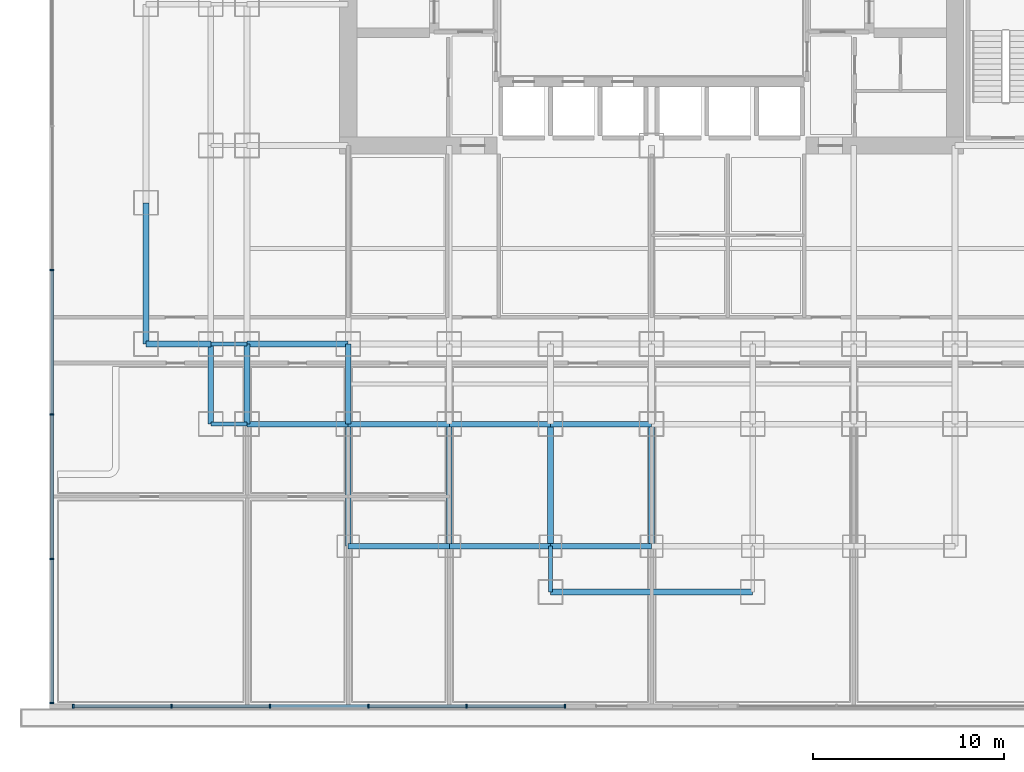
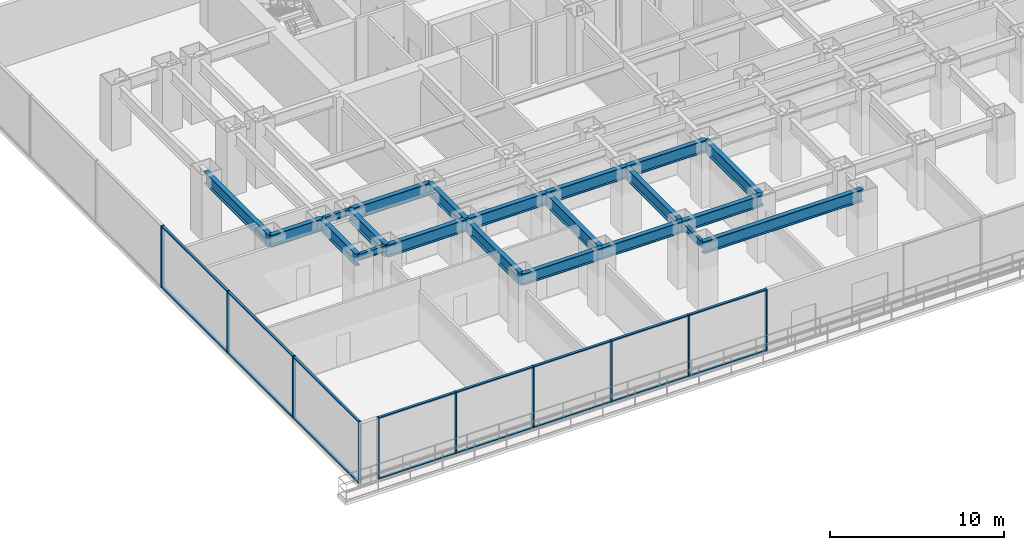
# One storey, part 2 of 13: 26 members, 21 beams, 2 elements without a shape of their own.
"""IFC4 building model written with IfcOpenShell, lengths in metres."""

from ifc_helpers import new_model, si_unit, direction, frame, origin, origin_2d, place, context, subcontext, project, spatial, rectangle, i_section, extrude, source, transform, mapped, material, layer, layer_set, material_profile, profile_set, type_object, element, aggregate, save


model = new_model("IFC4")

# Units and contexts
model_context = context("Model", 3, precision=1e-05, world=origin(), true_north=direction((0.0, 1.0)))
body_context = subcontext(model_context, "Body", "Model", "MODEL_VIEW")
ifc_project = project(units=[si_unit("LENGTHUNIT", "METRE"), si_unit("AREAUNIT", "SQUARE_METRE"), si_unit("VOLUMEUNIT", "CUBIC_METRE"), si_unit("PLANEANGLEUNIT", "RADIAN"), si_unit("MASSUNIT", "GRAM", prefix="KILO")], contexts=[model_context])

# Site, building, storey
site_placement = place(None, origin())
site = spatial("IfcSite", under=ifc_project, at=site_placement, CompositionType="ELEMENT")
building_placement = place(site_placement, origin())
building = spatial("IfcBuilding", under=site, at=building_placement, Name="Qianlan Lanfeng Residences", CompositionType="ELEMENT")
storey_placement = place(building_placement, frame((0.0, 0.0, 14.39990234375)))
storey = spatial("IfcBuildingStorey", under=building, at=storey_placement, Name="L03", CompositionType="ELEMENT", Elevation=14.39990234375)

# Beams
ifc_material_1 = material(Name="Steel SN490B", Category="steel")
ifc_material_profile_1 = material_profile(ifc_material_1, i_section(OverallWidth=0.300048828125, OverallDepth=0.85009765625, WebThickness=0.01611328125, FlangeThickness=0.031982421875, at=origin_2d()), Name="H 850x300x16x32")
ifc_profile_set_1 = profile_set([ifc_material_profile_1], Name="Steel SN490B")
beam_type_1 = type_object("IfcBeamType", Name="G-1100", PredefinedType="BEAM", material=ifc_profile_set_1)
beam_1_placement = place(storey_placement, frame((21.199951171875, 1.800048828125, 3.9150390625), z_axis=(1.0, 0.0, 0.0), x_axis=(0.0, 1.0, 0.0)))
element("IfcBeam", 1, at=beam_1_placement, inside=storey, type_object=beam_type_1, Name="Structural beam G-1100", PredefinedType="BEAM", context=body_context, shape_type="SweptSolid", body=[
    extrude(i_section(OverallWidth=0.300048828125, OverallDepth=0.85009765625, WebThickness=0.01611328125, FlangeThickness=0.031982421875, at=origin_2d()), origin(), (0.0, 0.0, 1.0), 10.60009765625),
])
beam_2_placement = place(storey_placement, frame((5.300048828125, 10.60009765625, 3.9150390625), z_axis=(1.0, 0.0, 0.0), x_axis=(0.0, 1.0, 0.0)))
element("IfcBeam", 2, at=beam_2_placement, inside=storey, type_object=beam_type_1, Name="Structural beam G-1100", PredefinedType="BEAM", context=body_context, shape_type="SweptSolid", body=[
    extrude(i_section(OverallWidth=0.300048828125, OverallDepth=0.85009765625, WebThickness=0.01611328125, FlangeThickness=0.031982421875, at=origin_2d()), origin(), (0.0, 0.0, 1.0), 5.300048828125),
])
beam_3_placement = place(storey_placement, frame((10.60009765625, 10.60009765625, 3.9150390625), z_axis=(1.0, 0.0, 0.0), x_axis=(0.0, 1.0, 0.0)))
element("IfcBeam", 3, at=beam_3_placement, inside=storey, type_object=beam_type_1, Name="Structural beam G-1100", PredefinedType="BEAM", context=body_context, shape_type="SweptSolid", body=[
    extrude(i_section(OverallWidth=0.300048828125, OverallDepth=0.85009765625, WebThickness=0.01611328125, FlangeThickness=0.031982421875, at=origin_2d()), origin(), (0.0, 0.0, 1.0), 5.2998046875),
])
for number, where, z_axis, x_axis, name in (
    (4, (15.89990234375, 10.60009765625, 3.9150390625), (1.0, 0.0, 0.0), (0.0, 1.0, 0.0), "Structural beam G-1100"),
    (5, (21.199951171875, 10.60009765625, 3.9150390625), (1.0, 0.0, 0.0), (0.0, 1.0, 0.0), "Structural beam G-1100"),
):
    element("IfcBeam", number, at=place(storey_placement, frame(where, z_axis=z_axis, x_axis=x_axis)), inside=storey, type_object=beam_type_1, Name=name, PredefinedType="BEAM", context=body_context, shape_type="SweptSolid", body=[
        extrude(i_section(OverallWidth=0.300048828125, OverallDepth=0.85009765625, WebThickness=0.01611328125, FlangeThickness=0.031982421875, at=origin_2d()), origin(), (0.0, 0.0, 1.0), 5.300048828125),
    ])
beam_4_placement = place(storey_placement, frame((0.0, 14.800048828125, 3.9150390625), z_axis=(1.0, 0.0, 0.0), x_axis=(0.0, 1.0, 0.0)))
element("IfcBeam", 6, at=beam_4_placement, inside=storey, type_object=beam_type_1, Name="Structural beam G-1100", PredefinedType="BEAM", context=body_context, shape_type="SweptSolid", body=[
    extrude(i_section(OverallWidth=0.300048828125, OverallDepth=0.85009765625, WebThickness=0.01611328125, FlangeThickness=0.031982421875, at=origin_2d()), origin(), (0.0, 0.0, 1.0), 3.39990234375),
])
beam_5_placement = place(storey_placement, frame((5.300048828125, 14.800048828125, 3.9150390625), z_axis=(1.0, 0.0, 0.0), x_axis=(0.0, 1.0, 0.0)))
element("IfcBeam", 7, at=beam_5_placement, inside=storey, type_object=beam_type_1, Name="Structural beam G-1100", PredefinedType="BEAM", context=body_context, shape_type="SweptSolid", body=[
    extrude(i_section(OverallWidth=0.300048828125, OverallDepth=0.85009765625, WebThickness=0.01611328125, FlangeThickness=0.031982421875, at=origin_2d()), origin(), (0.0, 0.0, 1.0), 5.300048828125),
])
beam_6_placement = place(storey_placement, frame((0.0, 14.800048828125, 3.9150390625), z_axis=(0.0, 1.0, 0.0), x_axis=(-1.0, 0.0, 0.0)))
element("IfcBeam", 8, at=beam_6_placement, inside=storey, type_object=beam_type_1, Name="Structural beam G-1100", PredefinedType="BEAM", context=body_context, shape_type="SweptSolid", body=[
    extrude(i_section(OverallWidth=0.300048828125, OverallDepth=0.85009765625, WebThickness=0.01611328125, FlangeThickness=0.031982421875, at=origin_2d()), origin(), (0.0, 0.0, 1.0), 7.39990234375),
])
for number, where, z_axis, x_axis, name in (
    (9, (3.39990234375, 10.60009765625, 3.9150390625), (0.0, 1.0, 0.0), (-1.0, 0.0, 0.0), "Structural beam G-1100"),
    (10, (5.300048828125, 10.60009765625, 3.9150390625), (0.0, 1.0, 0.0), (-1.0, 0.0, 0.0), "Structural beam G-1100"),
):
    element("IfcBeam", number, at=place(storey_placement, frame(where, z_axis=z_axis, x_axis=x_axis)), inside=storey, type_object=beam_type_1, Name=name, PredefinedType="BEAM", context=body_context, shape_type="SweptSolid", body=[
        extrude(i_section(OverallWidth=0.300048828125, OverallDepth=0.85009765625, WebThickness=0.01611328125, FlangeThickness=0.031982421875, at=origin_2d()), origin(), (0.0, 0.0, 1.0), 4.199951171875),
    ])
beam_7_placement = place(storey_placement, frame((10.60009765625, 4.199951171875, 3.9150390625), z_axis=(0.0, 1.0, 0.0), x_axis=(-1.0, 0.0, 0.0)))
element("IfcBeam", 11, at=beam_7_placement, inside=storey, type_object=beam_type_1, Name="Structural beam G-1100", PredefinedType="BEAM", context=body_context, shape_type="SweptSolid", body=[
    extrude(i_section(OverallWidth=0.300048828125, OverallDepth=0.85009765625, WebThickness=0.01611328125, FlangeThickness=0.031982421875, at=origin_2d()), origin(), (0.0, 0.0, 1.0), 6.400146484375),
])
beam_8_placement = place(storey_placement, frame((10.60009765625, 10.60009765625, 3.9150390625), z_axis=(0.0, 1.0, 0.0), x_axis=(-1.0, 0.0, 0.0)))
element("IfcBeam", 12, at=beam_8_placement, inside=storey, type_object=beam_type_1, Name="Structural beam G-1100", PredefinedType="BEAM", context=body_context, shape_type="SweptSolid", body=[
    extrude(i_section(OverallWidth=0.300048828125, OverallDepth=0.85009765625, WebThickness=0.01611328125, FlangeThickness=0.031982421875, at=origin_2d()), origin(), (0.0, 0.0, 1.0), 4.199951171875),
])
for number, where, z_axis, x_axis, name in (
    (13, (15.89990234375, 4.199951171875, 3.9150390625), (0.0, 1.0, 0.0), (-1.0, 0.0, 0.0), "Structural beam G-1100"),
    (14, (21.199951171875, 4.199951171875, 3.9150390625), (0.0, 1.0, 0.0), (-1.0, 0.0, 0.0), "Structural beam G-1100"),
    (15, (26.5, 4.199951171875, 3.9150390625), (0.0, 1.0, 0.0), (-1.0, 0.0, 0.0), "Structural beam G-1100"),
):
    element("IfcBeam", number, at=place(storey_placement, frame(where, z_axis=z_axis, x_axis=x_axis)), inside=storey, type_object=beam_type_1, Name=name, PredefinedType="BEAM", context=body_context, shape_type="SweptSolid", body=[
        extrude(i_section(OverallWidth=0.300048828125, OverallDepth=0.85009765625, WebThickness=0.01611328125, FlangeThickness=0.031982421875, at=origin_2d()), origin(), (0.0, 0.0, 1.0), 6.400146484375),
    ])
ifc_material_profile_2 = material_profile(ifc_material_1, i_section(OverallWidth=0.199951171875, OverallDepth=0.449951171875, WebThickness=0.009033203125, FlangeThickness=0.013916015625, at=origin_2d()), Name="H 450x200x9x14")
ifc_profile_set_2 = profile_set([ifc_material_profile_2], Name="Steel SN490B")
beam_type_2 = type_object("IfcBeamType", Name="J-450", PredefinedType="JOIST", material=ifc_profile_set_2)
for number, where, z_axis, x_axis, name in (
    (16, (3.39990234375, 10.60009765625, 4.114990234375), (1.0, 0.0, 0.0), (0.0, 1.0, 0.0), "Structural beam J-450"),
    (17, (3.39990234375, 14.800048828125, 4.114990234375), (1.0, 0.0, 0.0), (0.0, 1.0, 0.0), "Structural beam J-450"),
):
    element("IfcBeam", number, at=place(storey_placement, frame(where, z_axis=z_axis, x_axis=x_axis)), inside=storey, type_object=beam_type_2, Name=name, PredefinedType="JOIST", context=body_context, shape_type="SweptSolid", body=[
        extrude(i_section(OverallWidth=0.199951171875, OverallDepth=0.449951171875, WebThickness=0.009033203125, FlangeThickness=0.013916015625, at=origin_2d()), origin(), (0.0, 0.0, 1.0), 1.900146484375),
    ])
beam_9_placement = place(storey_placement, frame((21.199951171875, 1.800048828125, 4.114990234375), z_axis=(0.0, 1.0, 0.0), x_axis=(-1.0, 0.0, 0.0)))
element("IfcBeam", 18, at=beam_9_placement, inside=storey, type_object=beam_type_2, Name="Structural beam J-450", PredefinedType="JOIST", context=body_context, shape_type="SweptSolid", body=[
    extrude(i_section(OverallWidth=0.199951171875, OverallDepth=0.449951171875, WebThickness=0.009033203125, FlangeThickness=0.013916015625, at=origin_2d()), origin(), (0.0, 0.0, 1.0), 2.39990234375),
])
ifc_material_profile_3 = material_profile(ifc_material_1, i_section(OverallWidth=0.300048828125, OverallDepth=0.800048828125, WebThickness=0.01611328125, FlangeThickness=0.028076171875, at=origin_2d()), Name="H 800x300x16x28")
ifc_profile_set_3 = profile_set([ifc_material_profile_3], Name="Steel SN490B")
beam_type_3 = type_object("IfcBeamType", Name="SG-950", PredefinedType="SPANDREL", material=ifc_profile_set_3)
beam_10_placement = place(storey_placement, frame((10.60009765625, 4.199951171875, 3.940185546875), z_axis=(1.0, 0.0, 0.0), x_axis=(0.0, 1.0, 0.0)))
element("IfcBeam", 19, at=beam_10_placement, inside=storey, type_object=beam_type_3, Name="Structural beam SG-950", PredefinedType="SPANDREL", context=body_context, shape_type="SweptSolid", body=[
    extrude(i_section(OverallWidth=0.300048828125, OverallDepth=0.800048828125, WebThickness=0.01611328125, FlangeThickness=0.028076171875, at=origin_2d()), origin(), (0.0, 0.0, 1.0), 5.2998046875),
])
for number, where, z_axis, x_axis, name in (
    (20, (15.89990234375, 4.199951171875, 3.940185546875), (1.0, 0.0, 0.0), (0.0, 1.0, 0.0), "Structural beam SG-950"),
    (21, (21.199951171875, 4.199951171875, 3.940185546875), (1.0, 0.0, 0.0), (0.0, 1.0, 0.0), "Structural beam SG-950"),
):
    element("IfcBeam", number, at=place(storey_placement, frame(where, z_axis=z_axis, x_axis=x_axis)), inside=storey, type_object=beam_type_3, Name=name, PredefinedType="SPANDREL", context=body_context, shape_type="SweptSolid", body=[
        extrude(i_section(OverallWidth=0.300048828125, OverallDepth=0.800048828125, WebThickness=0.01611328125, FlangeThickness=0.028076171875, at=origin_2d()), origin(), (0.0, 0.0, 1.0), 5.300048828125),
    ])

# Curtain wall, members
ifc_material_2 = material(Name="Anodised Bronze Aluminium 6063-T6", Category="aluminium")
ifc_layer = layer(ifc_material_2, 0.219970703125)
ifc_layer_set = layer_set([ifc_layer], Name="Anodised Bronze Aluminium 6063-T6")
curtain_wall_type = type_object("IfcCurtainWallType", Name="CW-01", PredefinedType="NOTDEFINED", material=ifc_layer_set)
curtain_wall_1_placement = place(storey_placement, origin())
curtain_wall_1 = element("IfcCurtainWall", 22, at=curtain_wall_1_placement, inside=storey, type_object=curtain_wall_type, Name="L03 Unitised Curtain Wall CWR-L03-SW (CW-01)", PredefinedType="NOTDEFINED")
ifc_material_profile_4 = material_profile(ifc_material_2, rectangle(XDim=0.080078125, YDim=0.2099609375, at=origin_2d()), Name="ALU MULLION 80x210")
ifc_profile_set_4 = profile_set([ifc_material_profile_4], Name="Anodised Bronze Aluminium 6063-T6")
member_type_1 = type_object("IfcMemberType", Name="CWM-220", PredefinedType="MULLION", material=ifc_profile_set_4)
shared_shape_1 = source(origin(), body_context, "Body", "SweptSolid", [
    extrude(rectangle(XDim=0.080078125, YDim=0.2099609375, at=origin_2d()), origin(), (0.0, 0.0, 1.0), 4.340087890625),
])
member_1_placement = place(storey_placement, frame((-3.81005859375, -4.179931640625, 0.0), z_axis=(0.0, 0.0, 1.0), x_axis=(1.0, 0.0, 0.0)))
member_1 = element("IfcMember", 23, at=member_1_placement, type_object=member_type_1, Name="CWR-L03-SW Mullion 1", PredefinedType="MULLION", context=body_context, shape_type="MappedRepresentation", body=[
    mapped(shared_shape_1, transform((0.0, 0.0, 0.0), scale=1.0)),
])
member_2_placement = place(storey_placement, frame((1.343994140625, -4.179931640625, 0.0), z_axis=(0.0, 0.0, 1.0), x_axis=(1.0, 0.0, 0.0)))
member_2 = element("IfcMember", 24, at=member_2_placement, type_object=member_type_1, Name="CWR-L03-SW Mullion 2", PredefinedType="MULLION", context=body_context, shape_type="MappedRepresentation", body=[
    mapped(shared_shape_1, transform((0.0, 0.0, 0.0), scale=1.0)),
])
member_3_placement = place(storey_placement, frame((6.498046875, -4.179931640625, 0.0), z_axis=(0.0, 0.0, 1.0), x_axis=(1.0, 0.0, 0.0)))
member_3 = element("IfcMember", 25, at=member_3_placement, type_object=member_type_1, Name="CWR-L03-SW Mullion 3", PredefinedType="MULLION", context=body_context, shape_type="MappedRepresentation", body=[
    mapped(shared_shape_1, transform((0.0, 0.0, 0.0), scale=1.0)),
])
member_4_placement = place(storey_placement, frame((11.652099609375, -4.179931640625, 0.0), z_axis=(0.0, 0.0, 1.0), x_axis=(1.0, 0.0, 0.0)))
member_4 = element("IfcMember", 26, at=member_4_placement, type_object=member_type_1, Name="CWR-L03-SW Mullion 4", PredefinedType="MULLION", context=body_context, shape_type="MappedRepresentation", body=[
    mapped(shared_shape_1, transform((0.0, 0.0, 0.0), scale=1.0)),
])
member_5_placement = place(storey_placement, frame((16.805908203125, -4.179931640625, 0.0), z_axis=(0.0, 0.0, 1.0), x_axis=(1.0, 0.0, 0.0)))
member_5 = element("IfcMember", 27, at=member_5_placement, type_object=member_type_1, Name="CWR-L03-SW Mullion 5", PredefinedType="MULLION", context=body_context, shape_type="MappedRepresentation", body=[
    mapped(shared_shape_1, transform((0.0, 0.0, 0.0), scale=1.0)),
])
member_6_placement = place(storey_placement, frame((21.9599609375, -4.179931640625, 0.0), z_axis=(0.0, 0.0, 1.0), x_axis=(1.0, 0.0, 0.0)))
member_6 = element("IfcMember", 28, at=member_6_placement, type_object=member_type_1, Name="CWR-L03-SW Mullion 6", PredefinedType="MULLION", context=body_context, shape_type="MappedRepresentation", body=[
    mapped(shared_shape_1, transform((0.0, 0.0, 0.0), scale=1.0)),
])

curtain_wall_2_placement = place(storey_placement, origin())
curtain_wall_2 = element("IfcCurtainWall", 29, at=curtain_wall_2_placement, inside=storey, type_object=curtain_wall_type, Name="L03 Unitised Curtain Wall CWR-L03-W (CW-01)", PredefinedType="NOTDEFINED")
member_7_placement = place(storey_placement, frame((-4.929931640625, 18.669921875, 0.0), z_axis=(0.0, 0.0, 1.0), x_axis=(0.0, -1.0, 0.0)))
member_7 = element("IfcMember", 30, at=member_7_placement, type_object=member_type_1, Name="CWR-L03-W Mullion 4", PredefinedType="MULLION", context=body_context, shape_type="MappedRepresentation", body=[
    mapped(shared_shape_1, transform((0.0, 0.0, 0.0), scale=1.0)),
])
member_8_placement = place(storey_placement, frame((-4.929931640625, 11.106689453125, 0.0), z_axis=(0.0, 0.0, 1.0), x_axis=(0.0, -1.0, 0.0)))
member_8 = element("IfcMember", 31, at=member_8_placement, type_object=member_type_1, Name="CWR-L03-W Mullion 5", PredefinedType="MULLION", context=body_context, shape_type="MappedRepresentation", body=[
    mapped(shared_shape_1, transform((0.0, 0.0, 0.0), scale=1.0)),
])
member_9_placement = place(storey_placement, frame((-4.929931640625, 3.543212890625, 0.0), z_axis=(0.0, 0.0, 1.0), x_axis=(0.0, -1.0, 0.0)))
member_9 = element("IfcMember", 32, at=member_9_placement, type_object=member_type_1, Name="CWR-L03-W Mullion 6", PredefinedType="MULLION", context=body_context, shape_type="MappedRepresentation", body=[
    mapped(shared_shape_1, transform((0.0, 0.0, 0.0), scale=1.0)),
])
member_10_placement = place(storey_placement, frame((-4.929931640625, -4.02001953125, 0.0), z_axis=(0.0, 0.0, 1.0), x_axis=(0.0, -1.0, 0.0)))
member_10 = element("IfcMember", 33, at=member_10_placement, type_object=member_type_1, Name="CWR-L03-W Mullion 7", PredefinedType="MULLION", context=body_context, shape_type="MappedRepresentation", body=[
    mapped(shared_shape_1, transform((0.0, 0.0, 0.0), scale=1.0)),
])

# Member
ifc_material_profile_5 = material_profile(ifc_material_2, rectangle(XDim=0.080078125, YDim=0.159912109375, at=origin_2d()), Name="ALU TRANSOM 80x160")
ifc_profile_set_5 = profile_set([ifc_material_profile_5], Name="Anodised Bronze Aluminium 6063-T6")
member_type_2 = type_object("IfcMemberType", Name="CWT-180", PredefinedType="USERDEFINED", material=ifc_profile_set_5)
shared_shape_2 = source(origin(), body_context, "Body", "SweptSolid", [
    extrude(rectangle(XDim=0.080078125, YDim=0.159912109375, at=origin_2d()), origin(), (0.0, 0.0, 1.0), 5.073974609375),
])
member_11_placement = place(storey_placement, frame((-3.77001953125, -4.179931640625, 0.0400390625), z_axis=(1.0, 0.0, 0.0), x_axis=(0.0, 0.0, 1.0)))
member_11 = element("IfcMember", 34, at=member_11_placement, type_object=member_type_2, Name="CWR-L03-SW Transom 1-BOT", ObjectType="TRANSOM", PredefinedType="USERDEFINED", context=body_context, shape_type="MappedRepresentation", body=[
    mapped(shared_shape_2, transform((0.0, 0.0, 0.0), scale=1.0)),
])

member_12_placement = place(storey_placement, frame((-3.77001953125, -4.179931640625, 4.300048828125), z_axis=(1.0, 0.0, 0.0), x_axis=(0.0, 0.0, 1.0)))
member_12 = element("IfcMember", 35, at=member_12_placement, type_object=member_type_2, Name="CWR-L03-SW Transom 1-TOP", ObjectType="TRANSOM", PredefinedType="USERDEFINED", context=body_context, shape_type="MappedRepresentation", body=[
    mapped(shared_shape_2, transform((0.0, 0.0, 0.0), scale=1.0)),
])

member_13_placement = place(storey_placement, frame((1.384033203125, -4.179931640625, 0.0400390625), z_axis=(1.0, 0.0, 0.0), x_axis=(0.0, 0.0, 1.0)))
member_13 = element("IfcMember", 36, at=member_13_placement, type_object=member_type_2, Name="CWR-L03-SW Transom 2-BOT", ObjectType="TRANSOM", PredefinedType="USERDEFINED", context=body_context, shape_type="MappedRepresentation", body=[
    mapped(shared_shape_2, transform((0.0, 0.0, 0.0), scale=1.0)),
])

member_14_placement = place(storey_placement, frame((1.384033203125, -4.179931640625, 4.300048828125), z_axis=(1.0, 0.0, 0.0), x_axis=(0.0, 0.0, 1.0)))
member_14 = element("IfcMember", 37, at=member_14_placement, type_object=member_type_2, Name="CWR-L03-SW Transom 2-TOP", ObjectType="TRANSOM", PredefinedType="USERDEFINED", context=body_context, shape_type="MappedRepresentation", body=[
    mapped(shared_shape_2, transform((0.0, 0.0, 0.0), scale=1.0)),
])

member_15_placement = place(storey_placement, frame((6.5380859375, -4.179931640625, 0.0400390625), z_axis=(1.0, 0.0, 0.0), x_axis=(0.0, 0.0, 1.0)))
member_15 = element("IfcMember", 38, at=member_15_placement, type_object=member_type_2, Name="CWR-L03-SW Transom 3-BOT", ObjectType="TRANSOM", PredefinedType="USERDEFINED", context=body_context, shape_type="MappedRepresentation", body=[
    mapped(shared_shape_2, transform((0.0, 0.0, 0.0), scale=1.0)),
])

member_16_placement = place(storey_placement, frame((6.5380859375, -4.179931640625, 4.300048828125), z_axis=(1.0, 0.0, 0.0), x_axis=(0.0, 0.0, 1.0)))
member_16 = element("IfcMember", 39, at=member_16_placement, type_object=member_type_2, Name="CWR-L03-SW Transom 3-TOP", ObjectType="TRANSOM", PredefinedType="USERDEFINED", context=body_context, shape_type="MappedRepresentation", body=[
    mapped(shared_shape_2, transform((0.0, 0.0, 0.0), scale=1.0)),
])

member_17_placement = place(storey_placement, frame((16.845947265625, -4.179931640625, 0.0400390625), z_axis=(1.0, 0.0, 0.0), x_axis=(0.0, 0.0, 1.0)))
member_17 = element("IfcMember", 40, at=member_17_placement, type_object=member_type_2, Name="CWR-L03-SW Transom 5-BOT", ObjectType="TRANSOM", PredefinedType="USERDEFINED", context=body_context, shape_type="MappedRepresentation", body=[
    mapped(shared_shape_2, transform((0.0, 0.0, 0.0), scale=1.0)),
])

member_18_placement = place(storey_placement, frame((16.845947265625, -4.179931640625, 4.300048828125), z_axis=(1.0, 0.0, 0.0), x_axis=(0.0, 0.0, 1.0)))
member_18 = element("IfcMember", 41, at=member_18_placement, type_object=member_type_2, Name="CWR-L03-SW Transom 5-TOP", ObjectType="TRANSOM", PredefinedType="USERDEFINED", context=body_context, shape_type="MappedRepresentation", body=[
    mapped(shared_shape_2, transform((0.0, 0.0, 0.0), scale=1.0)),
])

shared_shape_3 = source(origin(), body_context, "Body", "SweptSolid", [
    extrude(rectangle(XDim=0.080078125, YDim=0.159912109375, at=origin_2d()), origin(), (0.0, 0.0, 1.0), 5.07421875),
])
member_19_placement = place(storey_placement, frame((11.69189453125, -4.179931640625, 0.0400390625), z_axis=(1.0, 0.0, 0.0), x_axis=(0.0, 0.0, 1.0)))
member_19 = element("IfcMember", 42, at=member_19_placement, type_object=member_type_2, Name="CWR-L03-SW Transom 4-BOT", ObjectType="TRANSOM", PredefinedType="USERDEFINED", context=body_context, shape_type="MappedRepresentation", body=[
    mapped(shared_shape_3, transform((0.0, 0.0, 0.0), scale=1.0)),
])

member_20_placement = place(storey_placement, frame((11.69189453125, -4.179931640625, 4.300048828125), z_axis=(1.0, 0.0, 0.0), x_axis=(0.0, 0.0, 1.0)))
member_20 = element("IfcMember", 43, at=member_20_placement, type_object=member_type_2, Name="CWR-L03-SW Transom 4-TOP", ObjectType="TRANSOM", PredefinedType="USERDEFINED", context=body_context, shape_type="MappedRepresentation", body=[
    mapped(shared_shape_3, transform((0.0, 0.0, 0.0), scale=1.0)),
])

aggregate(curtain_wall_1, [member_1, member_2, member_3, member_4, member_5, member_6, member_11, member_12, member_13, member_14, member_15, member_16, member_19, member_20, member_17, member_18])

shared_shape_4 = source(origin(), body_context, "Body", "SweptSolid", [
    extrude(rectangle(XDim=0.080078125, YDim=0.159912109375, at=origin_2d()), origin(), (0.0, 0.0, 1.0), 7.4833984375),
])
member_21_placement = place(storey_placement, frame((-4.929931640625, 11.066650390625, 0.0400390625), z_axis=(0.0, -1.0, 0.0), x_axis=(0.0, 0.0, 1.0)))
member_21 = element("IfcMember", 44, at=member_21_placement, type_object=member_type_2, Name="CWR-L03-W Transom 5-BOT", ObjectType="TRANSOM", PredefinedType="USERDEFINED", context=body_context, shape_type="MappedRepresentation", body=[
    mapped(shared_shape_4, transform((0.0, 0.0, 0.0), scale=1.0)),
])

member_22_placement = place(storey_placement, frame((-4.929931640625, 11.066650390625, 4.300048828125), z_axis=(0.0, -1.0, 0.0), x_axis=(0.0, 0.0, 1.0)))
member_22 = element("IfcMember", 45, at=member_22_placement, type_object=member_type_2, Name="CWR-L03-W Transom 5-TOP", ObjectType="TRANSOM", PredefinedType="USERDEFINED", context=body_context, shape_type="MappedRepresentation", body=[
    mapped(shared_shape_4, transform((0.0, 0.0, 0.0), scale=1.0)),
])

member_23_placement = place(storey_placement, frame((-4.929931640625, 3.50341796875, 0.0400390625), z_axis=(0.0, -1.0, 0.0), x_axis=(0.0, 0.0, 1.0)))
member_23 = element("IfcMember", 46, at=member_23_placement, type_object=member_type_2, Name="CWR-L03-W Transom 6-BOT", ObjectType="TRANSOM", PredefinedType="USERDEFINED", context=body_context, shape_type="MappedRepresentation", body=[
    mapped(shared_shape_4, transform((0.0, 0.0, 0.0), scale=1.0)),
])

member_24_placement = place(storey_placement, frame((-4.929931640625, 3.50341796875, 4.300048828125), z_axis=(0.0, -1.0, 0.0), x_axis=(0.0, 0.0, 1.0)))
member_24 = element("IfcMember", 47, at=member_24_placement, type_object=member_type_2, Name="CWR-L03-W Transom 6-TOP", ObjectType="TRANSOM", PredefinedType="USERDEFINED", context=body_context, shape_type="MappedRepresentation", body=[
    mapped(shared_shape_4, transform((0.0, 0.0, 0.0), scale=1.0)),
])

shared_shape_5 = source(origin(), body_context, "Body", "SweptSolid", [
    extrude(rectangle(XDim=0.080078125, YDim=0.159912109375, at=origin_2d()), origin(), (0.0, 0.0, 1.0), 7.483154296875),
])
member_25_placement = place(storey_placement, frame((-4.929931640625, 18.6298828125, 0.0400390625), z_axis=(0.0, -1.0, 0.0), x_axis=(0.0, 0.0, 1.0)))
member_25 = element("IfcMember", 48, at=member_25_placement, type_object=member_type_2, Name="CWR-L03-W Transom 4-BOT", ObjectType="TRANSOM", PredefinedType="USERDEFINED", context=body_context, shape_type="MappedRepresentation", body=[
    mapped(shared_shape_5, transform((0.0, 0.0, 0.0), scale=1.0)),
])

member_26_placement = place(storey_placement, frame((-4.929931640625, 18.6298828125, 4.300048828125), z_axis=(0.0, -1.0, 0.0), x_axis=(0.0, 0.0, 1.0)))
member_26 = element("IfcMember", 49, at=member_26_placement, type_object=member_type_2, Name="CWR-L03-W Transom 4-TOP", ObjectType="TRANSOM", PredefinedType="USERDEFINED", context=body_context, shape_type="MappedRepresentation", body=[
    mapped(shared_shape_5, transform((0.0, 0.0, 0.0), scale=1.0)),
])

aggregate(curtain_wall_2, [member_7, member_8, member_9, member_10, member_25, member_26, member_21, member_22, member_23, member_24])

save(model, "model.ifc")
